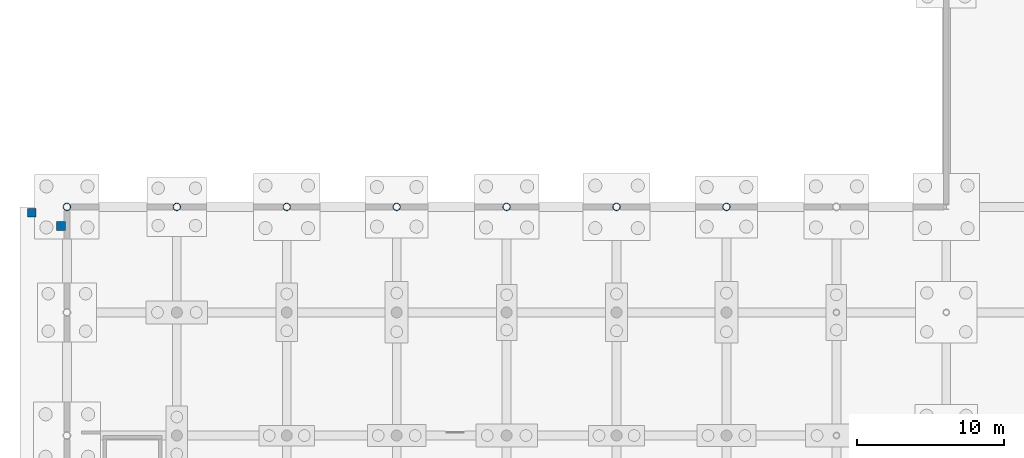
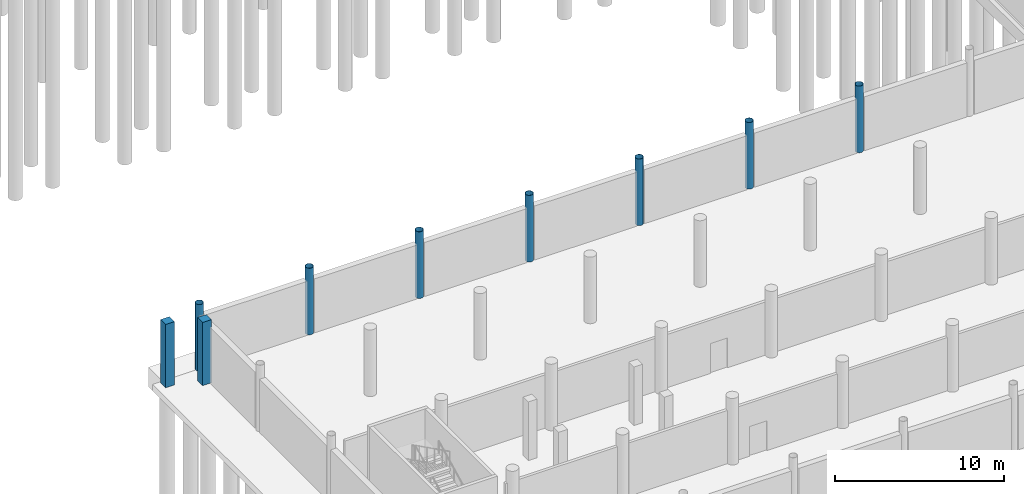
# One storey, part 16 of 44: 9 columns.
"""IFC4 building model written with IfcOpenShell, lengths in metres."""

from ifc_helpers import new_model, si_unit, direction, frame, origin, origin_2d, place, context, subcontext, project, spatial, rectangle, hollow_circle, extrude, material, material_profile, profile_set, type_object, element, save


model = new_model("IFC4")

# Units and contexts
model_context = context("Model", 3, precision=1e-05, world=origin(), true_north=direction((0.0, 1.0)))
body_context = subcontext(model_context, "Body", "Model", "MODEL_VIEW")
ifc_project = project(units=[si_unit("LENGTHUNIT", "METRE"), si_unit("AREAUNIT", "SQUARE_METRE"), si_unit("VOLUMEUNIT", "CUBIC_METRE"), si_unit("PLANEANGLEUNIT", "RADIAN"), si_unit("MASSUNIT", "GRAM", prefix="KILO")], contexts=[model_context])

# Site, building, storey
site_placement = place(None, origin())
site = spatial("IfcSite", under=ifc_project, at=site_placement, CompositionType="ELEMENT")
building_placement = place(site_placement, origin())
building = spatial("IfcBuilding", under=site, at=building_placement, Name="Yukiwa Park Conservatory and Herbarium", CompositionType="ELEMENT")
storey_placement = place(building_placement, frame((0.0, 0.0, -4.800048828125)))
storey = spatial("IfcBuildingStorey", under=building, at=storey_placement, Name="B1", CompositionType="ELEMENT", Elevation=-4.800048828125)

# Columns
ifc_material_1 = material(Name="Concrete C40", Category="concrete")
ifc_material_profile_1 = material_profile(ifc_material_1, rectangle(XDim=0.60009765625, YDim=0.60009765625, at=origin_2d()), Name="RC 600x600")
ifc_profile_set_1 = profile_set([ifc_material_profile_1], Name="Concrete C40")
column_type_1 = type_object("IfcColumnType", Name="COL-B1-RC600", PredefinedType="COLUMN", material=ifc_profile_set_1)
for number, where, z_axis, x_axis, name in (
    (1, (-0.39990234375, 29.89306640625, 0.0), (0.0, 0.0, 1.0), (1.0, 0.0, 0.0), "Exterior frost apron pier 23"),
    (2, (-2.39990234375, 30.800048828125, 0.0), (0.0, 0.0, 1.0), (1.0, 0.0, 0.0), "Exterior frost apron pier 24"),
):
    element("IfcColumn", number, at=place(storey_placement, frame(where, z_axis=z_axis, x_axis=x_axis)), inside=storey, type_object=column_type_1, Name=name, PredefinedType="COLUMN", context=body_context, shape_type="SweptSolid", body=[
        extrude(rectangle(XDim=0.60009765625, YDim=0.60009765625, at=origin_2d()), origin(), (0.0, 0.0, 1.0), 4.56005859375),
    ])
ifc_material_2 = material(Name="Steel Q355D", Category="steel")
ifc_material_profile_2 = material_profile(ifc_material_2, hollow_circle(Radius=0.25390625, WallThickness=0.01611328125, at=origin_2d()), Name="CHS 508x16")
ifc_profile_set_2 = profile_set([ifc_material_profile_2], Name="Steel Q355D")
column_type_2 = type_object("IfcColumnType", Name="COL-CV-CHS508-INT", PredefinedType="COLUMN", material=ifc_profile_set_2)
for number, where, z_axis, x_axis, name in (
    (3, (0.0, 31.199951171875, 0.0), (0.0, 0.0, 1.0), (1.0, 0.0, 0.0), "B1 column V1-X0-Y312"),
    (4, (7.5, 31.199951171875, 0.0), (0.0, 0.0, 1.0), (1.0, 0.0, 0.0), "B1 column V1-X75-Y312"),
    (5, (15.0, 31.199951171875, 0.0), (0.0, 0.0, 1.0), (1.0, 0.0, 0.0), "B1 column V1-X150-Y312"),
    (6, (22.5, 31.199951171875, 0.0), (0.0, 0.0, 1.0), (1.0, 0.0, 0.0), "B1 column V1-X225-Y312"),
    (7, (30.0, 31.199951171875, 0.0), (0.0, 0.0, 1.0), (1.0, 0.0, 0.0), "B1 column V1-X300-Y312"),
    (8, (37.5, 31.199951171875, 0.0), (0.0, 0.0, 1.0), (1.0, 0.0, 0.0), "B1 column V1-X375-Y312"),
    (9, (45.0, 31.199951171875, 0.0), (0.0, 0.0, 1.0), (1.0, 0.0, 0.0), "B1 column V1-X450-Y312"),
):
    element("IfcColumn", number, at=place(storey_placement, frame(where, z_axis=z_axis, x_axis=x_axis)), inside=storey, type_object=column_type_2, Name=name, PredefinedType="COLUMN", context=body_context, shape_type="SweptSolid", body=[
        extrude(hollow_circle(Radius=0.25390625, WallThickness=0.01611328125, at=origin_2d()), origin(), (0.0, 0.0, 1.0), 4.800048828125),
    ])

save(model, "model.ifc")
